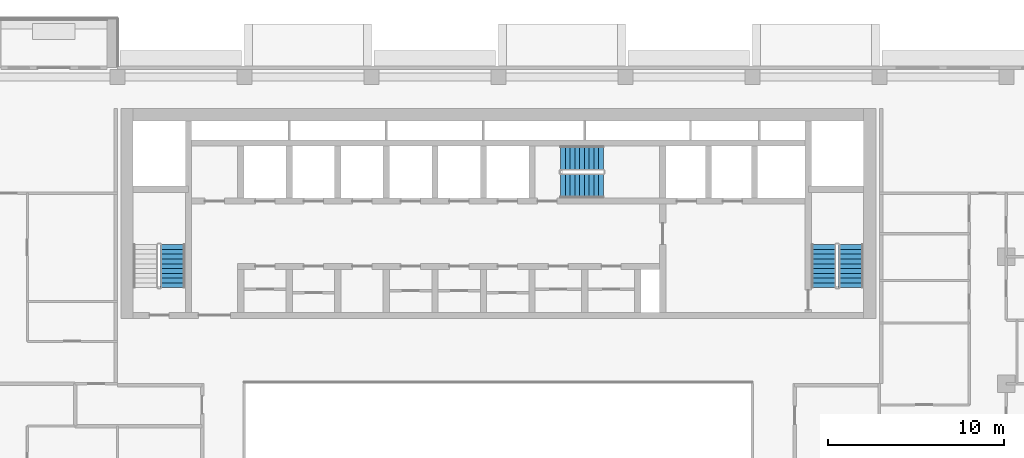
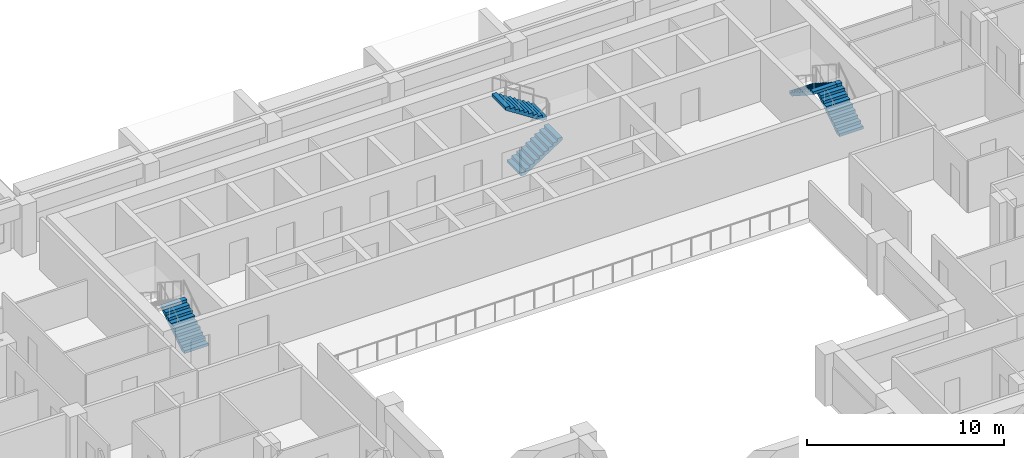
# One storey, part 13 of 20: 5 stair flights, 3 elements without a shape of their own.
"""IFC4 building model written with IfcOpenShell, lengths in metres."""

from ifc_helpers import new_model, si_unit, direction, frame, origin, place, context, subcontext, project, spatial, polyline, outline, extrude, material, layer, layer_set, type_object, element, aggregate, save


model = new_model("IFC4")

# Units and contexts
model_context = context("Model", 3, precision=1e-05, world=origin(), true_north=direction((0.0, 1.0)))
body_context = subcontext(model_context, "Body", "Model", "MODEL_VIEW")
ifc_project = project(units=[si_unit("LENGTHUNIT", "METRE"), si_unit("AREAUNIT", "SQUARE_METRE"), si_unit("VOLUMEUNIT", "CUBIC_METRE"), si_unit("PLANEANGLEUNIT", "RADIAN"), si_unit("MASSUNIT", "GRAM", prefix="KILO")], contexts=[model_context])

# Site, building, storey
site_placement = place(None, origin())
site = spatial("IfcSite", under=ifc_project, at=site_placement, CompositionType="ELEMENT")
building_placement = place(site_placement, origin())
building = spatial("IfcBuilding", under=site, at=building_placement, Name="Saffron Iwan Residences", CompositionType="ELEMENT")
storey_placement = place(building_placement, frame((0.0, 0.0, 150.0)))
storey = spatial("IfcBuildingStorey", under=building, at=storey_placement, Name="L39", CompositionType="ELEMENT", Elevation=150.0)

# Stair, stair flight
ifc_material = material(Name="Concrete C50/60", Category="concrete")
stair_type = type_object("IfcStairType", Name="Stair ST-CORE", PredefinedType="HALF_TURN_STAIR", material=ifc_material)
stair_1_placement = place(storey_placement, origin())
stair_1 = element("IfcStair", 1, at=stair_1_placement, inside=storey, type_object=stair_type, Name="L39 Exit Stair ST-W", PredefinedType="HALF_TURN_STAIR")
ifc_layer = layer(ifc_material, 0.14990234375)
ifc_layer_set = layer_set([ifc_layer], Name="Concrete C50/60")
stair_flight_type = type_object("IfcStairFlightType", Name="Stair flight SFL-RC", PredefinedType="STRAIGHT", material=ifc_layer_set)
stair_flight_1_placement = place(storey_placement, frame((31.949951171875, 67.85009765625, 0.0), z_axis=(0.0, 0.0, 1.0), x_axis=(0.0, 1.0, 0.0)))
stair_flight_1 = element("IfcStairFlight", 2, at=stair_flight_1_placement, type_object=stair_flight_type, Name="ST-W flight 1", NumberOfRisers=10, NumberOfTreads=9, PredefinedType="STRAIGHT", RiserHeight=0.175, TreadLength=0.27, context=body_context, shape_type="SweptSolid", body=[
    extrude(outline(polyline([(0.0, 0.0), (0.0, 0.175048828125), (0.27001953125, 0.175048828125), (0.27001953125, 0.35009765625), (0.5400390625, 0.35009765625), (0.5400390625, 0.52490234375), (0.81005859375, 0.52490234375), (0.81005859375, 0.699951171875), (1.080078125, 0.699951171875), (1.080078125, 0.875), (1.35009765625, 0.875), (1.35009765625, 1.050048828125), (1.6201171875, 1.050048828125), (1.6201171875, 1.22509765625), (1.889892578125, 1.22509765625), (1.889892578125, 1.39990234375), (2.159912109375, 1.39990234375), (2.159912109375, 1.574951171875), (2.429931640625, 1.574951171875), (2.429931640625, 1.75), (2.429931640625, 1.396484375), (0.275634765625, 0.0), (0.0, 0.0)])), frame((0.0, 0.699951171875, 0.0), z_axis=(0.0, -1.0, 0.0), x_axis=(1.0, 0.0, 0.0)), (0.0, 0.0, 1.0), 1.39990234375),
])
aggregate(stair_1, [stair_flight_1])

# Stair, stair flights
stair_2_placement = place(storey_placement, origin())
stair_2 = element("IfcStair", 3, at=stair_2_placement, inside=storey, type_object=stair_type, Name="L39 Exit Stair ST-C", PredefinedType="HALF_TURN_STAIR")
stair_flight_2_placement = place(storey_placement, frame((53.925048828125, 73.625, 0.0), z_axis=(0.0, 0.0, 1.0), x_axis=(1.0, 0.0, 0.0)))
stair_flight_2 = element("IfcStairFlight", 4, at=stair_flight_2_placement, type_object=stair_flight_type, Name="ST-C flight 1", NumberOfRisers=10, NumberOfTreads=9, PredefinedType="STRAIGHT", RiserHeight=0.175, TreadLength=0.27, context=body_context, shape_type="SweptSolid", body=[
    extrude(outline(polyline([(0.0, 0.0), (0.0, 0.175048828125), (0.27001953125, 0.175048828125), (0.27001953125, 0.35009765625), (0.5400390625, 0.35009765625), (0.5400390625, 0.52490234375), (0.81005859375, 0.52490234375), (0.81005859375, 0.699951171875), (1.080078125, 0.699951171875), (1.080078125, 0.875), (1.35009765625, 0.875), (1.35009765625, 1.050048828125), (1.6201171875, 1.050048828125), (1.6201171875, 1.22509765625), (1.889892578125, 1.22509765625), (1.889892578125, 1.39990234375), (2.159912109375, 1.39990234375), (2.159912109375, 1.574951171875), (2.429931640625, 1.574951171875), (2.429931640625, 1.75), (2.429931640625, 1.396484375), (0.275634765625, 0.0), (0.0, 0.0)])), frame((0.0, 0.699951171875, 0.0), z_axis=(0.0, -1.0, 0.0), x_axis=(1.0, 0.0, 0.0)), (0.0, 0.0, 1.0), 1.39990234375),
])
stair_flight_3_placement = place(storey_placement, frame((56.35498046875, 75.175048828125, 1.75), z_axis=(0.0, 0.0, 1.0), x_axis=(-1.0, 0.0, 0.0)))
stair_flight_3 = element("IfcStairFlight", 5, at=stair_flight_3_placement, type_object=stair_flight_type, Name="ST-C flight 2", NumberOfRisers=10, NumberOfTreads=9, PredefinedType="STRAIGHT", RiserHeight=0.175, TreadLength=0.27, context=body_context, shape_type="SweptSolid", body=[
    extrude(outline(polyline([(0.0, 0.0), (0.0, 0.175048828125), (0.27001953125, 0.175048828125), (0.27001953125, 0.35009765625), (0.5400390625, 0.35009765625), (0.5400390625, 0.52490234375), (0.81005859375, 0.52490234375), (0.81005859375, 0.699951171875), (1.080078125, 0.699951171875), (1.080078125, 0.875), (1.35009765625, 0.875), (1.35009765625, 1.050048828125), (1.6201171875, 1.050048828125), (1.6201171875, 1.22509765625), (1.889892578125, 1.22509765625), (1.889892578125, 1.39990234375), (2.159912109375, 1.39990234375), (2.159912109375, 1.574951171875), (2.429931640625, 1.574951171875), (2.429931640625, 1.75), (2.429931640625, 1.396484375), (0.275634765625, 0.0), (0.0, 0.0)])), frame((0.0, 0.699951171875, 0.0), z_axis=(0.0, -1.0, 0.0), x_axis=(1.0, 0.0, 0.0)), (0.0, 0.0, 1.0), 1.39990234375),
])
aggregate(stair_2, [stair_flight_2, stair_flight_3])

stair_3_placement = place(storey_placement, origin())
stair_3 = element("IfcStair", 6, at=stair_3_placement, inside=storey, type_object=stair_type, Name="L39 Exit Stair ST-E", PredefinedType="HALF_TURN_STAIR")
stair_flight_4_placement = place(storey_placement, frame((70.39990234375, 67.85009765625, 0.0), z_axis=(0.0, 0.0, 1.0), x_axis=(0.0, 1.0, 0.0)))
stair_flight_4 = element("IfcStairFlight", 7, at=stair_flight_4_placement, type_object=stair_flight_type, Name="ST-E flight 1", NumberOfRisers=10, NumberOfTreads=9, PredefinedType="STRAIGHT", RiserHeight=0.175, TreadLength=0.27, context=body_context, shape_type="SweptSolid", body=[
    extrude(outline(polyline([(0.0, 0.0), (0.0, 0.175048828125), (0.27001953125, 0.175048828125), (0.27001953125, 0.35009765625), (0.5400390625, 0.35009765625), (0.5400390625, 0.52490234375), (0.81005859375, 0.52490234375), (0.81005859375, 0.699951171875), (1.080078125, 0.699951171875), (1.080078125, 0.875), (1.35009765625, 0.875), (1.35009765625, 1.050048828125), (1.6201171875, 1.050048828125), (1.6201171875, 1.22509765625), (1.889892578125, 1.22509765625), (1.889892578125, 1.39990234375), (2.159912109375, 1.39990234375), (2.159912109375, 1.574951171875), (2.429931640625, 1.574951171875), (2.429931640625, 1.75), (2.429931640625, 1.396484375), (0.275634765625, 0.0), (0.0, 0.0)])), frame((0.0, 0.699951171875, 0.0), z_axis=(0.0, -1.0, 0.0), x_axis=(1.0, 0.0, 0.0)), (0.0, 0.0, 1.0), 1.39990234375),
])
stair_flight_5_placement = place(storey_placement, frame((68.85009765625, 70.280029296875, 1.75), z_axis=(0.0, 0.0, 1.0), x_axis=(0.0, -1.0, 0.0)))
stair_flight_5 = element("IfcStairFlight", 8, at=stair_flight_5_placement, type_object=stair_flight_type, Name="ST-E flight 2", NumberOfRisers=10, NumberOfTreads=9, PredefinedType="STRAIGHT", RiserHeight=0.175, TreadLength=0.27, context=body_context, shape_type="SweptSolid", body=[
    extrude(outline(polyline([(0.0, 0.0), (0.0, 0.175048828125), (0.27001953125, 0.175048828125), (0.27001953125, 0.35009765625), (0.5400390625, 0.35009765625), (0.5400390625, 0.52490234375), (0.81005859375, 0.52490234375), (0.81005859375, 0.699951171875), (1.080078125, 0.699951171875), (1.080078125, 0.875), (1.35009765625, 0.875), (1.35009765625, 1.050048828125), (1.6201171875, 1.050048828125), (1.6201171875, 1.22509765625), (1.889892578125, 1.22509765625), (1.889892578125, 1.39990234375), (2.159912109375, 1.39990234375), (2.159912109375, 1.574951171875), (2.429931640625, 1.574951171875), (2.429931640625, 1.75), (2.429931640625, 1.396484375), (0.275634765625, 0.0), (0.0, 0.0)])), frame((0.0, 0.699951171875, 0.0), z_axis=(0.0, -1.0, 0.0), x_axis=(1.0, 0.0, 0.0)), (0.0, 0.0, 1.0), 1.39990234375),
])
aggregate(stair_3, [stair_flight_4, stair_flight_5])

save(model, "model.ifc")
